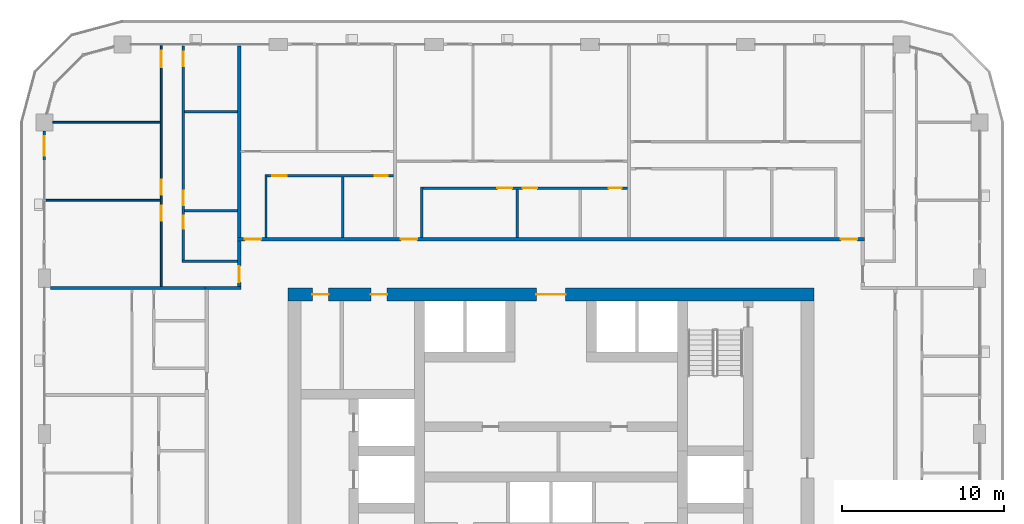
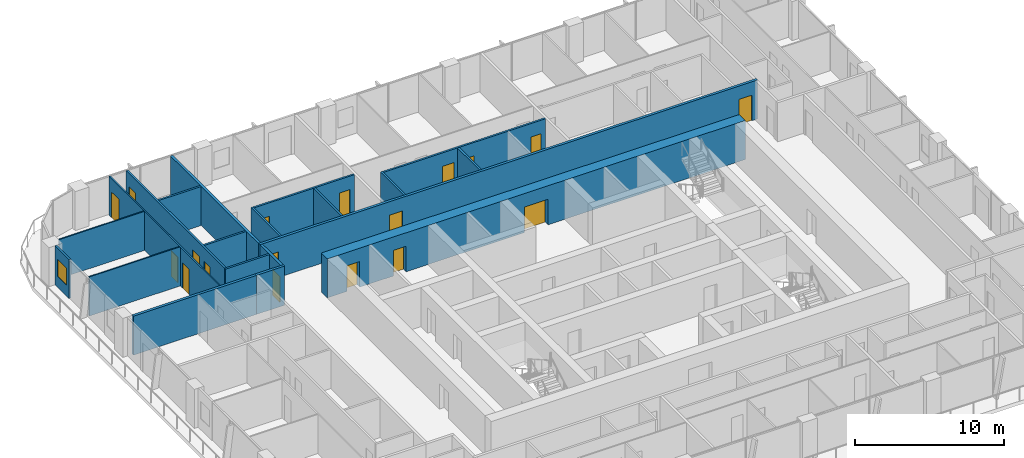
# One storey, part 13 of 22: 20 walls, 18 doors, 1 window, 19 openings.
"""IFC4 building model written with IfcOpenShell, lengths in metres."""

import ifcopenshell
import ifcopenshell.guid

model = None  # the IFC model being written
_history = None  # IfcOwnerHistory: only IFC2X3 demands one
_inside = {}  # id of a spatial element -> (the spatial element, [elements in it])
_under = {}  # id of a project, library or spatial element -> (it, [spatial elements below it])
_declared = {}  # id of a project -> (the project, [libraries it declares])
_typed = {}  # id of a type object -> (the type object, [elements of that type])
_made_of = {}  # id of a material, layer set ... -> (it, [elements and type objects made of it])


def new_model(schema):
    """Start an empty IFC model of exactly this schema.

    Asked for "IFC4X3", IfcOpenShell would pick the latest addendum, in which some entities
    have other attributes; the version numbers below select the first issue.
    IFC2X3 requires an IfcOwnerHistory on every rooted entity: one is made here for all.
    """
    global model, _history
    if schema == "IFC4X3":
        model = ifcopenshell.file(schema_version=(4, 3, 0, 0))
    else:
        model = ifcopenshell.file(schema=schema)
    _inside.clear()
    _under.clear()
    _declared.clear()
    _typed.clear()
    _made_of.clear()
    _history = None
    if model.schema == "IFC2X3":
        org = make("IfcOrganization", Name="unknown")
        user = make(
            "IfcPersonAndOrganization",
            ThePerson=make("IfcPerson", FamilyName="unknown"),
            TheOrganization=org,
        )
        app = make(
            "IfcApplication",
            ApplicationDeveloper=org,
            Version="unknown",
            ApplicationFullName="unknown",
            ApplicationIdentifier="unknown",
        )
        _history = make(
            "IfcOwnerHistory",
            OwningUser=user,
            OwningApplication=app,
            ChangeAction="ADDED",
            CreationDate=0,
        )
    return model


def make(cls, **values):
    """One entity of the class cls with the attributes given. An attribute that is None is left unset."""
    return model.create_entity(
        cls, **{name: value for name, value in values.items() if value is not None}
    )


def rooted(cls, **values):
    """An entity with a GlobalId (a new one), such as an element, a storey or a relation."""
    return make(cls, GlobalId=ifcopenshell.guid.new(), OwnerHistory=_history, **values)


def si_unit(unit_type, name, prefix=None):
    """IfcSIUnit, for example si_unit("LENGTHUNIT", "METRE", prefix="MILLI")."""
    return make("IfcSIUnit", UnitType=unit_type, Prefix=prefix, Name=name)


def assignment(units):
    """IfcUnitAssignment: the units of a project."""
    return None if units is None else make("IfcUnitAssignment", Units=units)


def point(xyz):
    """IfcCartesianPoint."""
    return None if xyz is None else make("IfcCartesianPoint", Coordinates=xyz)


def direction(xyz):
    """IfcDirection."""
    return None if xyz is None else make("IfcDirection", DirectionRatios=xyz)


def frame(location, z_axis=None, x_axis=None):
    """IfcAxis2Placement3D, a coordinate frame: its origin and axes. An axis left out is left unset."""
    return make(
        "IfcAxis2Placement3D",
        Location=point(location),
        Axis=direction(z_axis),
        RefDirection=direction(x_axis),
    )


def frame_2d(location, x_axis=None):
    """IfcAxis2Placement2D, a coordinate frame in the plane: its origin and x axis."""
    return make(
        "IfcAxis2Placement2D", Location=point(location), RefDirection=direction(x_axis)
    )


def origin():
    """The frame at (0, 0, 0) with its axes left unset."""
    return frame((0.0, 0.0, 0.0))


def place(relative_to, where):
    """IfcLocalPlacement: puts the frame where relative to a parent placement (None: the world)."""
    return make(
        "IfcLocalPlacement", PlacementRelTo=relative_to, RelativePlacement=where
    )


def context(
    kind, dimensions, precision=None, world=None, true_north=None, identifier=None
):
    """IfcGeometricRepresentationContext, for example the 3D "Model" context."""
    return make(
        "IfcGeometricRepresentationContext",
        ContextIdentifier=identifier,
        ContextType=kind,
        CoordinateSpaceDimension=dimensions,
        Precision=precision,
        WorldCoordinateSystem=world,
        TrueNorth=true_north,
    )


def subcontext(parent, identifier, kind, view, scale=None):
    """IfcGeometricRepresentationSubContext, for example "Body" below "Model"."""
    return make(
        "IfcGeometricRepresentationSubContext",
        ContextIdentifier=identifier,
        ContextType=kind,
        ParentContext=parent,
        TargetScale=scale,
        TargetView=view,
    )


def project(units=None, contexts=None):
    """IfcProject with its units and contexts."""
    return rooted(
        "IfcProject",
        Name="project",
        RepresentationContexts=contexts,
        UnitsInContext=assignment(units),
    )


def spatial(cls, under=None, at=None, **own):
    """A site, building, storey or space (cls), placed at a placement, below another one or the project."""
    s = rooted(cls, ObjectPlacement=at, **own)
    if under is not None:
        _under.setdefault(under.id(), (under, []))[1].append(s)
    return s


def profile(cls, at=None, kind="AREA", **sizes):
    """A parametric profile (cls). Its sizes go by their IFC names, for example OverallWidth=200.0."""
    return make(cls, ProfileType=kind, Position=at, **sizes)


def rectangle(**sizes):
    """IfcRectangleProfileDef."""
    return profile("IfcRectangleProfileDef", **sizes)


def extrude(swept, where, along, depth):
    """IfcExtrudedAreaSolid: the profile swept, set in the frame where, extruded along a direction by depth."""
    return make(
        "IfcExtrudedAreaSolid",
        SweptArea=swept,
        Position=where,
        ExtrudedDirection=direction(along),
        Depth=depth,
    )


def shape(context_of_items, identifier, shape_type, items):
    """IfcShapeRepresentation: the items that make up one representation, for example the "Body"."""
    return make(
        "IfcShapeRepresentation",
        ContextOfItems=context_of_items,
        RepresentationIdentifier=identifier,
        RepresentationType=shape_type,
        Items=items,
    )


def material(Name=None, Category=None):
    """IfcMaterial."""
    return make("IfcMaterial", Name=Name, Category=Category)


def layer(
    of_material, thickness, ventilated=None, Name=None, Category=None, Priority=None
):
    """IfcMaterialLayer: one layer of a wall or slab, of a material (None: an air gap)."""
    return make(
        "IfcMaterialLayer",
        Material=of_material,
        LayerThickness=thickness,
        IsVentilated=ventilated,
        Name=Name,
        Category=Category,
        Priority=Priority,
    )


def layer_set(layers, Name=None):
    """IfcMaterialLayerSet."""
    return make("IfcMaterialLayerSet", MaterialLayers=layers, LayerSetName=Name)


def made_of(thing, what):
    """Note that an element or type object is made of a material, layer set ...; save() writes the relation."""
    if what is not None:
        _made_of.setdefault(what.id(), (what, []))[1].append(thing)
    return thing


def type_object(cls, material=None, **own):
    """A type object (cls), such as IfcWallType, which elements share."""
    return made_of(rooted(cls, **own), material)


def element(
    cls,
    number,
    at=None,
    inside=None,
    cuts=None,
    type_object=None,
    material=None,
    context=None,
    identifier="Body",
    shape_type=None,
    held_by="IfcProductDefinitionShape",
    body=None,
    shapes=None,
    **own,
):
    """One element of the class cls, such as IfcWall. Its Tag is "e" and its number.

    at: its placement. inside: the storey or other place that contains it. cuts: it is an
    opening in that element (IfcRelVoidsElement). A single representation is given by context,
    identifier, shape_type and body (its items); several are given by shapes. held_by: the class
    of the entity that holds the representations. save() writes the other relations.
    """
    e = rooted(cls, Tag="e%d" % number, ObjectPlacement=at, **own)
    if body is not None:
        shapes = [shape(context, identifier, shape_type, body)]
    if shapes is not None:
        e.Representation = make(held_by, Representations=shapes)
    if inside is not None:
        _inside.setdefault(inside.id(), (inside, []))[1].append(e)
    if cuts is not None:
        rooted(
            "IfcRelVoidsElement", RelatingBuildingElement=cuts, RelatedOpeningElement=e
        )
    if type_object is not None:
        _typed.setdefault(type_object.id(), (type_object, []))[1].append(e)
    return made_of(e, material)


def fill(opening, filler):
    """IfcRelFillsElement: the door or window that sits in an opening."""
    return rooted(
        "IfcRelFillsElement",
        RelatingOpeningElement=opening,
        RelatedBuildingElement=filler,
    )


def aggregate(whole, parts):
    """IfcRelAggregates: a whole, such as a stair, and the parts it consists of."""
    return rooted("IfcRelAggregates", RelatingObject=whole, RelatedObjects=parts)


def save(model, path):
    """Write the relations noted so far, then the file.

    IfcRelAggregates (storeys below a building ...), IfcRelContainedInSpatialStructure (elements
    in a storey), IfcRelDefinesByType, IfcRelAssociatesMaterial and IfcRelDeclares: one each for
    every whole, place, type object, material and project.
    """
    for whole, parts in _under.values():
        aggregate(whole, parts)
    for where, things in _inside.values():
        rooted(
            "IfcRelContainedInSpatialStructure",
            RelatedElements=things,
            RelatingStructure=where,
        )
    for kind, things in _typed.values():
        rooted("IfcRelDefinesByType", RelatedObjects=things, RelatingType=kind)
    for what, things in _made_of.values():
        rooted("IfcRelAssociatesMaterial", RelatedObjects=things, RelatingMaterial=what)
    for by, libraries in _declared.values():
        rooted("IfcRelDeclares", RelatingContext=by, RelatedDefinitions=libraries)
    model.write(path)


model = new_model("IFC4")

# Units and contexts
model_context = context("Model", 3, precision=1e-05, world=origin(), true_north=direction((0.0, 1.0)))
body_context = subcontext(model_context, "Body", "Model", "MODEL_VIEW")
ifc_project = project(units=[si_unit("LENGTHUNIT", "METRE"), si_unit("AREAUNIT", "SQUARE_METRE"), si_unit("VOLUMEUNIT", "CUBIC_METRE"), si_unit("PLANEANGLEUNIT", "RADIAN"), si_unit("MASSUNIT", "GRAM", prefix="KILO")], contexts=[model_context])

# Site, building, storey
site_placement = place(None, origin())
site = spatial("IfcSite", under=ifc_project, at=site_placement, CompositionType="ELEMENT")
building_placement = place(site_placement, origin())
building = spatial("IfcBuilding", under=site, at=building_placement, Name="Madar Terraces", CompositionType="ELEMENT")
storey_placement = place(building_placement, frame((0.0, 0.0, 129.60009765625)))
storey = spatial("IfcBuildingStorey", under=building, at=storey_placement, Name="L33", CompositionType="ELEMENT", Elevation=129.60009765625)

# Wall, openings, doors
ifc_material_1 = material(Name="Concrete C70/85", Category="concrete")
ifc_layer_1 = layer(ifc_material_1, 0.800048828125)
ifc_layer_set_1 = layer_set([ifc_layer_1], Name="Concrete C70/85 (CRW3 RC wall 800)")
wall_type_1 = type_object("IfcWallType", Name="CRW3 RC wall 800", PredefinedType="SHEAR", material=ifc_layer_set_1)
wall_1_placement = place(storey_placement, frame((15.0, 37.39990234375, 0.0), z_axis=(0.0, 0.0, 1.0), x_axis=(1.0, 0.0, 0.0)))
wall_1 = element("IfcWall", 1, at=wall_1_placement, inside=storey, type_object=wall_type_1, Name="CORE OUTER WALL", PredefinedType="SHEAR", context=body_context, shape_type="SweptSolid", body=[
    extrude(rectangle(XDim=32.39990234375, YDim=0.800048828125, at=frame_2d((16.199951171875, 0.0))), origin(), (0.0, 0.0, 1.0), 3.199951171875),
])
opening_1_placement = place(wall_1_placement, frame((15.300048828125, 0.0, 0.0)))
opening_1 = element("IfcOpeningElement", 2, at=opening_1_placement, cuts=wall_1, Name="Opening KD1", PredefinedType="OPENING", context=body_context, shape_type="SweptSolid", body=[
    extrude(rectangle(XDim=1.800048828125, YDim=2.10009765625, at=frame_2d((0.89990234375, 1.050048828125))), frame((0.0, 0.409912109375, 0.0), z_axis=(0.0, -1.0, 0.0), x_axis=(1.0, 0.0, 0.0)), (0.0, 0.0, 1.0), 0.820068359375),
])
opening_2_placement = place(wall_1_placement, frame((1.510009765625, 0.0, 0.0)))
opening_2 = element("IfcOpeningElement", 3, at=opening_2_placement, cuts=wall_1, Name="Opening KD2", PredefinedType="OPENING", context=body_context, shape_type="SweptSolid", body=[
    extrude(rectangle(XDim=1.0, YDim=2.10009765625, at=frame_2d((0.5, 1.050048828125))), frame((0.0, 0.409912109375, 0.0), z_axis=(0.0, -1.0, 0.0), x_axis=(1.0, 0.0, 0.0)), (0.0, 0.0, 1.0), 0.820068359375),
])
opening_3_placement = place(wall_1_placement, frame((5.110107421875, 0.0, 0.0)))
opening_3 = element("IfcOpeningElement", 4, at=opening_3_placement, cuts=wall_1, Name="Opening KD2", PredefinedType="OPENING", context=body_context, shape_type="SweptSolid", body=[
    extrude(rectangle(XDim=1.0, YDim=2.10009765625, at=frame_2d((0.5, 1.050048828125))), frame((0.0, 0.409912109375, 0.0), z_axis=(0.0, -1.0, 0.0), x_axis=(1.0, 0.0, 0.0)), (0.0, 0.0, 1.0), 0.820068359375),
])
ifc_material_2 = material(Name="Steel door leaf", Category="steel")
door_type_1 = type_object("IfcDoorType", Name="Lobby door pair 1800 x 2100", OperationType="DOUBLE_DOOR_SINGLE_SWING", PredefinedType="DOOR", material=ifc_material_2)
door_1_placement = place(opening_1_placement, origin())
door_1 = element("IfcDoor", 5, at=door_1_placement, inside=storey, type_object=door_type_1, Name="LIFT LOBBY DOOR", OperationType="DOUBLE_DOOR_SINGLE_SWING", OverallHeight=2.10009765625, OverallWidth=1.800048828125, PredefinedType="DOOR", context=body_context, shape_type="SweptSolid", body=[
    extrude(rectangle(XDim=1.800048828125, YDim=2.10009765625, at=frame_2d((0.89990234375, 1.050048828125))), frame((0.0, 0.02490234375, 0.0), z_axis=(0.0, -1.0, 0.0), x_axis=(1.0, 0.0, 0.0)), (0.0, 0.0, 1.0), 0.050048828125),
])
fill(opening_1, door_1)
ifc_material_3 = material(Name="Steel door leaf", Category="steel")
door_type_2 = type_object("IfcDoorType", Name="Service room door 1000 x 2100", OperationType="NOTDEFINED", PredefinedType="DOOR", material=ifc_material_3)
door_2_placement = place(opening_2_placement, origin())
door_2 = element("IfcDoor", 6, at=door_2_placement, inside=storey, type_object=door_type_2, Name="SERVICE ROOM DOOR", OperationType="SINGLE_SWING_RIGHT", OverallHeight=2.10009765625, OverallWidth=1.0, PredefinedType="DOOR", context=body_context, shape_type="SweptSolid", body=[
    extrude(rectangle(XDim=1.0, YDim=2.10009765625, at=frame_2d((0.5, 1.050048828125))), frame((0.0, 0.02490234375, 0.0), z_axis=(0.0, -1.0, 0.0), x_axis=(1.0, 0.0, 0.0)), (0.0, 0.0, 1.0), 0.050048828125),
])
fill(opening_2, door_2)
door_3_placement = place(opening_3_placement, origin())
door_3 = element("IfcDoor", 7, at=door_3_placement, inside=storey, type_object=door_type_2, Name="SERVICE ROOM DOOR", OperationType="SINGLE_SWING_LEFT", OverallHeight=2.10009765625, OverallWidth=1.0, PredefinedType="DOOR", context=body_context, shape_type="SweptSolid", body=[
    extrude(rectangle(XDim=1.0, YDim=2.10009765625, at=frame_2d((0.5, 1.050048828125))), frame((0.0, 0.02490234375, 0.0), z_axis=(0.0, -1.0, 0.0), x_axis=(1.0, 0.0, 0.0)), (0.0, 0.0, 1.0), 0.050048828125),
])
fill(opening_3, door_3)

# Wall, opening, window
ifc_material_4 = material(Name="Aluminium composite panel, black, over insulated backing", Category="aluminium")
ifc_layer_2 = layer(ifc_material_4, 0.14990234375)
ifc_layer_set_2 = layer_set([ifc_layer_2], Name="Facade bay panel 150")
wall_type_2 = type_object("IfcWallType", Name="Facade bay panel 150", PredefinedType="SOLIDWALL", material=ifc_layer_set_2)
wall_2_placement = place(storey_placement, frame((0.0, 47.47509765625, 0.0), z_axis=(0.0, 0.0, 1.0), x_axis=(0.0, -1.0, 0.0)))
wall_2 = element("IfcWall", 8, at=wall_2_placement, inside=storey, type_object=wall_type_2, Name="Facade bay panel", PredefinedType="SOLIDWALL", context=body_context, shape_type="SweptSolid", body=[
    extrude(rectangle(XDim=1.875, YDim=0.14990234375, at=frame_2d((0.9375, 0.0))), origin(), (0.0, 0.0, 1.0), 3.199951171875),
])
opening_4_placement = place(wall_2_placement, frame((0.33740234375, 0.0, 0.89990234375)))
opening_4 = element("IfcOpeningElement", 9, at=opening_4_placement, cuts=wall_2, Name="Opening W1", PredefinedType="OPENING", context=body_context, shape_type="SweptSolid", body=[
    extrude(rectangle(XDim=1.199951171875, YDim=1.39990234375, at=frame_2d((0.60009765625, 0.699951171875))), frame((0.0, 0.0849609375, 0.0), z_axis=(0.0, -1.0, 0.0), x_axis=(1.0, 0.0, 0.0)), (0.0, 0.0, 1.0), 0.169921875),
])
ifc_material_5 = material(Name="Glass, clear, with black aluminium frame", Category="aluminium")
window_type = type_object("IfcWindowType", Name="Vent window 1200 x 1400", PartitioningType="SINGLE_PANEL", PredefinedType="WINDOW", material=ifc_material_5)
window_placement = place(opening_4_placement, origin())
window = element("IfcWindow", 10, at=window_placement, inside=storey, type_object=window_type, Name="Operable vent window", OverallHeight=1.39990234375, OverallWidth=1.199951171875, PartitioningType="SINGLE_PANEL", PredefinedType="WINDOW", context=body_context, shape_type="SweptSolid", body=[
    extrude(rectangle(XDim=1.199951171875, YDim=1.39990234375, at=frame_2d((0.60009765625, 0.699951171875))), frame((0.0, 0.030029296875, 0.0), z_axis=(0.0, -1.0, 0.0), x_axis=(1.0, 0.0, 0.0)), (0.0, 0.0, 1.0), 0.06005859375),
])
fill(opening_4, window)

# Walls
ifc_material_6 = material(Name="Gypsum board on steel studs", Category="steel")
ifc_layer_3 = layer(ifc_material_6, 0.10009765625)
ifc_layer_set_3 = layer_set([ifc_layer_3], Name="Flat partition 100")
wall_type_3 = type_object("IfcWallType", Name="Flat partition 100", PredefinedType="PARTITIONING", material=ifc_layer_set_3)
wall_3_placement = place(storey_placement, frame((7.14990234375, 43.199951171875, 0.0), z_axis=(0.0, 0.0, 1.0), x_axis=(-1.0, 0.0, 0.0)))
element("IfcWall", 11, at=wall_3_placement, inside=storey, type_object=wall_type_3, Name="Flat partition 100", PredefinedType="PARTITIONING", context=body_context, shape_type="SweptSolid", body=[
    extrude(rectangle(XDim=7.0498046875, YDim=0.10009765625, at=frame_2d((3.52490234375, 0.0))), origin(), (0.0, 0.0, 1.0), 3.199951171875),
])
wall_4_placement = place(storey_placement, frame((7.14990234375, 48.0, 0.0), z_axis=(0.0, 0.0, 1.0), x_axis=(-1.0, 0.0, 0.0)))
element("IfcWall", 12, at=wall_4_placement, inside=storey, type_object=wall_type_3, Name="Flat partition 100", PredefinedType="PARTITIONING", context=body_context, shape_type="SweptSolid", body=[
    extrude(rectangle(XDim=6.625, YDim=0.10009765625, at=frame_2d((3.3125, 0.0))), origin(), (0.0, 0.0, 1.0), 3.199951171875),
])

# Wall, openings, doors
wall_5_placement = place(storey_placement, frame((7.199951171875, 37.89990234375, 0.0), z_axis=(0.0, 0.0, 1.0), x_axis=(0.0, 1.0, 0.0)))
wall_5 = element("IfcWall", 13, at=wall_5_placement, inside=storey, type_object=wall_type_3, Name="Flat partition 100", PredefinedType="PARTITIONING", context=body_context, shape_type="SweptSolid", body=[
    extrude(rectangle(XDim=14.800048828125, YDim=0.10009765625, at=frame_2d((7.39990234375, 0.0))), origin(), (0.0, 0.0, 1.0), 3.199951171875),
])
opening_5_placement = place(wall_5_placement, frame((4.050048828125, 0.0, 0.0)))
opening_5 = element("IfcOpeningElement", 14, at=opening_5_placement, cuts=wall_5, Name="Opening D2", PredefinedType="OPENING", context=body_context, shape_type="SweptSolid", body=[
    extrude(rectangle(XDim=0.89990234375, YDim=2.10009765625, at=frame_2d((0.449951171875, 1.050048828125))), frame((0.0, 0.06005859375, 0.0), z_axis=(0.0, -1.0, 0.0), x_axis=(1.0, 0.0, 0.0)), (0.0, 0.0, 1.0), 0.1201171875),
])
opening_6_placement = place(wall_5_placement, frame((5.64990234375, 0.0, 0.0)))
opening_6 = element("IfcOpeningElement", 15, at=opening_6_placement, cuts=wall_5, Name="Opening D2", PredefinedType="OPENING", context=body_context, shape_type="SweptSolid", body=[
    extrude(rectangle(XDim=0.89990234375, YDim=2.10009765625, at=frame_2d((0.449951171875, 1.050048828125))), frame((0.0, 0.06005859375, 0.0), z_axis=(0.0, -1.0, 0.0), x_axis=(1.0, 0.0, 0.0)), (0.0, 0.0, 1.0), 0.1201171875),
])
opening_7_placement = place(wall_5_placement, frame((13.5, 0.0, 0.0)))
opening_7 = element("IfcOpeningElement", 16, at=opening_7_placement, cuts=wall_5, Name="Opening D3", PredefinedType="OPENING", context=body_context, shape_type="SweptSolid", body=[
    extrude(rectangle(XDim=1.0, YDim=2.10009765625, at=frame_2d((0.5, 1.050048828125))), frame((0.0, 0.06005859375, 0.0), z_axis=(0.0, -1.0, 0.0), x_axis=(1.0, 0.0, 0.0)), (0.0, 0.0, 1.0), 0.1201171875),
])
ifc_material_7 = material(Name="Timber door leaf", Category="wood")
door_type_3 = type_object("IfcDoorType", Name="Flat living room door 1000", OperationType="NOTDEFINED", PredefinedType="DOOR", material=ifc_material_7)
door_4_placement = place(opening_7_placement, origin())
door_4 = element("IfcDoor", 17, at=door_4_placement, inside=storey, type_object=door_type_3, Name="Flat living room door 1000", OperationType="SINGLE_SWING_RIGHT", OverallHeight=2.10009765625, OverallWidth=1.0, PredefinedType="DOOR", context=body_context, shape_type="SweptSolid", body=[
    extrude(rectangle(XDim=1.0, YDim=2.10009765625, at=frame_2d((0.5, 1.050048828125))), frame((0.0, 0.02490234375, 0.0), z_axis=(0.0, -1.0, 0.0), x_axis=(1.0, 0.0, 0.0)), (0.0, 0.0, 1.0), 0.050048828125),
])
fill(opening_7, door_4)
ifc_material_8 = material(Name="Timber door leaf", Category="wood")
door_type_4 = type_object("IfcDoorType", Name="Flat room door 900", OperationType="NOTDEFINED", PredefinedType="DOOR", material=ifc_material_8)
door_5_placement = place(opening_5_placement, origin())
door_5 = element("IfcDoor", 18, at=door_5_placement, inside=storey, type_object=door_type_4, Name="Flat room door 900", OperationType="SINGLE_SWING_RIGHT", OverallHeight=2.10009765625, OverallWidth=0.89990234375, PredefinedType="DOOR", context=body_context, shape_type="SweptSolid", body=[
    extrude(rectangle(XDim=0.89990234375, YDim=2.10009765625, at=frame_2d((0.449951171875, 1.050048828125))), frame((0.0, 0.02490234375, 0.0), z_axis=(0.0, -1.0, 0.0), x_axis=(1.0, 0.0, 0.0)), (0.0, 0.0, 1.0), 0.050048828125),
])
fill(opening_5, door_5)
door_6_placement = place(opening_6_placement, origin())
door_6 = element("IfcDoor", 19, at=door_6_placement, inside=storey, type_object=door_type_4, Name="Flat room door 900", OperationType="SINGLE_SWING_LEFT", OverallHeight=2.10009765625, OverallWidth=0.89990234375, PredefinedType="DOOR", context=body_context, shape_type="SweptSolid", body=[
    extrude(rectangle(XDim=0.89990234375, YDim=2.10009765625, at=frame_2d((0.449951171875, 1.050048828125))), frame((0.0, 0.02490234375, 0.0), z_axis=(0.0, -1.0, 0.0), x_axis=(1.0, 0.0, 0.0)), (0.0, 0.0, 1.0), 0.050048828125),
])
fill(opening_6, door_6)

ifc_material_9 = material(Name="Lightweight blockwork", Category="masonry")
ifc_layer_4 = layer(ifc_material_9, 0.199951171875)
ifc_layer_set_4 = layer_set([ifc_layer_4], Name="Flat party and entrance wall 200")
wall_type_4 = type_object("IfcWallType", Name="Flat party and entrance wall 200", PredefinedType="PARTITIONING", material=ifc_layer_set_4)
wall_6_placement = place(storey_placement, frame((11.89990234375, 40.800048828125, 0.0), z_axis=(0.0, 0.0, 1.0), x_axis=(1.0, 0.0, 0.0)))
wall_6 = element("IfcWall", 20, at=wall_6_placement, inside=storey, type_object=wall_type_4, Name="Flat party and entrance wall 200", PredefinedType="PARTITIONING", context=body_context, shape_type="SweptSolid", body=[
    extrude(rectangle(XDim=38.60009765625, YDim=0.199951171875, at=frame_2d((19.300048828125, 0.0))), origin(), (0.0, 0.0, 1.0), 3.199951171875),
])
opening_8_placement = place(wall_6_placement, frame((37.14990234375, 0.0, 0.0)))
opening_8 = element("IfcOpeningElement", 21, at=opening_8_placement, cuts=wall_6, Name="Opening D1", PredefinedType="OPENING", context=body_context, shape_type="SweptSolid", body=[
    extrude(rectangle(XDim=1.0, YDim=2.10009765625, at=frame_2d((0.5, 1.050048828125))), frame((0.0, 0.10986328125, 0.0), z_axis=(0.0, -1.0, 0.0), x_axis=(1.0, 0.0, 0.0)), (0.0, 0.0, 1.0), 0.219970703125),
])
opening_9_placement = place(wall_6_placement, frame((10.050048828125, 0.0, 0.0)))
opening_9 = element("IfcOpeningElement", 22, at=opening_9_placement, cuts=wall_6, Name="Opening D1", PredefinedType="OPENING", context=body_context, shape_type="SweptSolid", body=[
    extrude(rectangle(XDim=1.0, YDim=2.10009765625, at=frame_2d((0.5, 1.050048828125))), frame((0.0, 0.10986328125, 0.0), z_axis=(0.0, -1.0, 0.0), x_axis=(1.0, 0.0, 0.0)), (0.0, 0.0, 1.0), 0.219970703125),
])
opening_10_placement = place(wall_6_placement, frame((0.449951171875, 0.0, 0.0)))
opening_10 = element("IfcOpeningElement", 23, at=opening_10_placement, cuts=wall_6, Name="Opening D1", PredefinedType="OPENING", context=body_context, shape_type="SweptSolid", body=[
    extrude(rectangle(XDim=1.0, YDim=2.10009765625, at=frame_2d((0.5, 1.050048828125))), frame((0.0, 0.10986328125, 0.0), z_axis=(0.0, -1.0, 0.0), x_axis=(1.0, 0.0, 0.0)), (0.0, 0.0, 1.0), 0.219970703125),
])
ifc_material_10 = material(Name="Timber fire door leaf", Category="wood")
door_type_5 = type_object("IfcDoorType", Name="Flat entrance door 1000 FD30S", OperationType="NOTDEFINED", PredefinedType="DOOR", material=ifc_material_10)
door_7_placement = place(opening_8_placement, origin())
door_7 = element("IfcDoor", 24, at=door_7_placement, inside=storey, type_object=door_type_5, Name="Flat entrance door 1000 FD30S", OperationType="SINGLE_SWING_RIGHT", OverallHeight=2.10009765625, OverallWidth=1.0, PredefinedType="DOOR", context=body_context, shape_type="SweptSolid", body=[
    extrude(rectangle(XDim=1.0, YDim=2.10009765625, at=frame_2d((0.5, 1.050048828125))), frame((0.0, 0.02490234375, 0.0), z_axis=(0.0, -1.0, 0.0), x_axis=(1.0, 0.0, 0.0)), (0.0, 0.0, 1.0), 0.050048828125),
])
fill(opening_8, door_7)
door_8_placement = place(opening_9_placement, origin())
door_8 = element("IfcDoor", 25, at=door_8_placement, inside=storey, type_object=door_type_5, Name="Flat entrance door 1000 FD30S", OperationType="SINGLE_SWING_LEFT", OverallHeight=2.10009765625, OverallWidth=1.0, PredefinedType="DOOR", context=body_context, shape_type="SweptSolid", body=[
    extrude(rectangle(XDim=1.0, YDim=2.10009765625, at=frame_2d((0.5, 1.050048828125))), frame((0.0, 0.02490234375, 0.0), z_axis=(0.0, -1.0, 0.0), x_axis=(1.0, 0.0, 0.0)), (0.0, 0.0, 1.0), 0.050048828125),
])
fill(opening_9, door_8)
door_9_placement = place(opening_10_placement, origin())
door_9 = element("IfcDoor", 26, at=door_9_placement, inside=storey, type_object=door_type_5, Name="Flat entrance door 1000 FD30S", OperationType="SINGLE_SWING_LEFT", OverallHeight=2.10009765625, OverallWidth=1.0, PredefinedType="DOOR", context=body_context, shape_type="SweptSolid", body=[
    extrude(rectangle(XDim=1.0, YDim=2.10009765625, at=frame_2d((0.5, 1.050048828125))), frame((0.0, 0.02490234375, 0.0), z_axis=(0.0, -1.0, 0.0), x_axis=(1.0, 0.0, 0.0)), (0.0, 0.0, 1.0), 0.050048828125),
])
fill(opening_10, door_9)

# Wall, opening, door
wall_7_placement = place(storey_placement, frame((12.0, 37.89990234375, 0.0), z_axis=(0.0, 0.0, 1.0), x_axis=(0.0, 1.0, 0.0)))
wall_7 = element("IfcWall", 27, at=wall_7_placement, inside=storey, type_object=wall_type_4, Name="Flat party and entrance wall 200", PredefinedType="PARTITIONING", context=body_context, shape_type="SweptSolid", body=[
    extrude(rectangle(XDim=2.800048828125, YDim=0.199951171875, at=frame_2d((1.39990234375, 0.0))), origin(), (0.0, 0.0, 1.0), 3.199951171875),
])
opening_11_placement = place(wall_7_placement, frame((0.25, 0.0, 0.0)))
opening_11 = element("IfcOpeningElement", 28, at=opening_11_placement, cuts=wall_7, Name="Opening D1", PredefinedType="OPENING", context=body_context, shape_type="SweptSolid", body=[
    extrude(rectangle(XDim=1.0, YDim=2.10009765625, at=frame_2d((0.5, 1.050048828125))), frame((0.0, 0.10986328125, 0.0), z_axis=(0.0, -1.0, 0.0), x_axis=(1.0, 0.0, 0.0)), (0.0, 0.0, 1.0), 0.219970703125),
])
door_10_placement = place(opening_11_placement, origin())
door_10 = element("IfcDoor", 29, at=door_10_placement, inside=storey, type_object=door_type_5, Name="Flat entrance door 1000 FD30S", OperationType="SINGLE_SWING_LEFT", OverallHeight=2.10009765625, OverallWidth=1.0, PredefinedType="DOOR", context=body_context, shape_type="SweptSolid", body=[
    extrude(rectangle(XDim=1.0, YDim=2.10009765625, at=frame_2d((0.5, 1.050048828125))), frame((0.0, 0.02490234375, 0.0), z_axis=(0.0, -1.0, 0.0), x_axis=(1.0, 0.0, 0.0)), (0.0, 0.0, 1.0), 0.050048828125),
])
fill(opening_11, door_10)

# Walls
wall_8_placement = place(storey_placement, frame((12.10009765625, 37.800048828125, 0.0), z_axis=(0.0, 0.0, 1.0), x_axis=(-1.0, 0.0, 0.0)))
element("IfcWall", 30, at=wall_8_placement, inside=storey, type_object=wall_type_4, Name="Flat party and entrance wall 200", PredefinedType="PARTITIONING", context=body_context, shape_type="SweptSolid", body=[
    extrude(rectangle(XDim=2.2001953125, YDim=0.199951171875, at=frame_2d((1.10009765625, 0.0))), origin(), (0.0, 0.0, 1.0), 3.199951171875),
])
wall_9_placement = place(storey_placement, frame((12.0, 52.699951171875, 0.0), z_axis=(0.0, 0.0, 1.0), x_axis=(0.0, -1.0, 0.0)))
element("IfcWall", 31, at=wall_9_placement, inside=storey, type_object=wall_type_4, Name="Flat party and entrance wall 200", PredefinedType="PARTITIONING", context=body_context, shape_type="SweptSolid", body=[
    extrude(rectangle(XDim=11.800048828125, YDim=0.199951171875, at=frame_2d((5.89990234375, 0.0))), origin(), (0.0, 0.0, 1.0), 3.199951171875),
])
wall_10_placement = place(storey_placement, frame((0.375, 37.800048828125, 0.0), z_axis=(0.0, 0.0, 1.0), x_axis=(1.0, 0.0, 0.0)))
element("IfcWall", 32, at=wall_10_placement, inside=storey, type_object=wall_type_4, Name="Flat party and entrance wall 200", PredefinedType="PARTITIONING", context=body_context, shape_type="SweptSolid", body=[
    extrude(rectangle(XDim=9.52490234375, YDim=0.199951171875, at=frame_2d((4.762451171875, 0.0))), origin(), (0.0, 0.0, 1.0), 3.199951171875),
])
ifc_material_11 = material(Name="Lightweight blockwork", Category="masonry")
ifc_layer_5 = layer(ifc_material_11, 0.14990234375)
ifc_layer_set_5 = layer_set([ifc_layer_5], Name="Flat wet-room partition 150")
wall_type_5 = type_object("IfcWallType", Name="Flat wet-room partition 150", PredefinedType="PARTITIONING", material=ifc_layer_set_5)
wall_11_placement = place(storey_placement, frame((29.12890625, 40.89990234375, 0.0), z_axis=(0.0, 0.0, 1.0), x_axis=(0.0, 1.0, 0.0)))
element("IfcWall", 33, at=wall_11_placement, inside=storey, type_object=wall_type_5, Name="Flat wet-room partition 150", PredefinedType="PARTITIONING", context=body_context, shape_type="SweptSolid", body=[
    extrude(rectangle(XDim=2.97509765625, YDim=0.14990234375, at=frame_2d((1.487548828125, 0.0))), origin(), (0.0, 0.0, 1.0), 3.199951171875),
])
wall_12_placement = place(storey_placement, frame((23.25, 40.89990234375, 0.0), z_axis=(0.0, 0.0, 1.0), x_axis=(0.0, 1.0, 0.0)))
element("IfcWall", 34, at=wall_12_placement, inside=storey, type_object=wall_type_5, Name="Flat wet-room partition 150", PredefinedType="PARTITIONING", context=body_context, shape_type="SweptSolid", body=[
    extrude(rectangle(XDim=3.125, YDim=0.14990234375, at=frame_2d((1.5625, 0.0))), origin(), (0.0, 0.0, 1.0), 3.199951171875),
])

# Wall, openings, doors
wall_13_placement = place(storey_placement, frame((35.89990234375, 43.949951171875, 0.0), z_axis=(0.0, 0.0, 1.0), x_axis=(-1.0, 0.0, 0.0)))
wall_13 = element("IfcWall", 35, at=wall_13_placement, inside=storey, type_object=wall_type_5, Name="Flat wet-room partition 150", PredefinedType="PARTITIONING", context=body_context, shape_type="SweptSolid", body=[
    extrude(rectangle(XDim=12.574951171875, YDim=0.14990234375, at=frame_2d((6.28759765625, 0.0))), origin(), (0.0, 0.0, 1.0), 3.199951171875),
])
opening_12_placement = place(wall_13_placement, frame((7.09619140625, 0.0, 0.0)))
opening_12 = element("IfcOpeningElement", 36, at=opening_12_placement, cuts=wall_13, Name="Opening D2", PredefinedType="OPENING", context=body_context, shape_type="SweptSolid", body=[
    extrude(rectangle(XDim=0.89990234375, YDim=2.10009765625, at=frame_2d((0.449951171875, 1.050048828125))), frame((0.0, 0.0849609375, 0.0), z_axis=(0.0, -1.0, 0.0), x_axis=(1.0, 0.0, 0.0)), (0.0, 0.0, 1.0), 0.169921875),
])
opening_13_placement = place(wall_13_placement, frame((5.546142578125, 0.0, 0.0)))
opening_13 = element("IfcOpeningElement", 37, at=opening_13_placement, cuts=wall_13, Name="Opening D5", PredefinedType="OPENING", context=body_context, shape_type="SweptSolid", body=[
    extrude(rectangle(XDim=0.89990234375, YDim=2.10009765625, at=frame_2d((0.449951171875, 1.050048828125))), frame((0.0, 0.0849609375, 0.0), z_axis=(0.0, -1.0, 0.0), x_axis=(1.0, 0.0, 0.0)), (0.0, 0.0, 1.0), 0.169921875),
])
opening_14_placement = place(wall_13_placement, frame((0.35009765625, 0.0, 0.0)))
opening_14 = element("IfcOpeningElement", 38, at=opening_14_placement, cuts=wall_13, Name="Opening D4", PredefinedType="OPENING", context=body_context, shape_type="SweptSolid", body=[
    extrude(rectangle(XDim=0.800048828125, YDim=2.10009765625, at=frame_2d((0.39990234375, 1.050048828125))), frame((0.0, 0.0849609375, 0.0), z_axis=(0.0, -1.0, 0.0), x_axis=(1.0, 0.0, 0.0)), (0.0, 0.0, 1.0), 0.169921875),
])
ifc_material_12 = material(Name="Timber door leaf", Category="wood")
door_type_6 = type_object("IfcDoorType", Name="Flat accessible bathroom door 900", OperationType="NOTDEFINED", PredefinedType="DOOR", material=ifc_material_12)
door_11_placement = place(opening_13_placement, origin())
door_11 = element("IfcDoor", 39, at=door_11_placement, inside=storey, type_object=door_type_6, Name="Flat accessible bathroom door 900", OperationType="SINGLE_SWING_RIGHT", OverallHeight=2.10009765625, OverallWidth=0.89990234375, PredefinedType="DOOR", context=body_context, shape_type="SweptSolid", body=[
    extrude(rectangle(XDim=0.89990234375, YDim=2.10009765625, at=frame_2d((0.449951171875, 1.050048828125))), frame((0.0, 0.02490234375, 0.0), z_axis=(0.0, -1.0, 0.0), x_axis=(1.0, 0.0, 0.0)), (0.0, 0.0, 1.0), 0.050048828125),
])
fill(opening_13, door_11)
ifc_material_13 = material(Name="Timber door leaf", Category="wood")
door_type_7 = type_object("IfcDoorType", Name="Flat bathroom door 800", OperationType="NOTDEFINED", PredefinedType="DOOR", material=ifc_material_13)
door_12_placement = place(opening_14_placement, origin())
door_12 = element("IfcDoor", 40, at=door_12_placement, inside=storey, type_object=door_type_7, Name="Flat bathroom door 800", OperationType="SINGLE_SWING_LEFT", OverallHeight=2.10009765625, OverallWidth=0.800048828125, PredefinedType="DOOR", context=body_context, shape_type="SweptSolid", body=[
    extrude(rectangle(XDim=0.800048828125, YDim=2.10009765625, at=frame_2d((0.39990234375, 1.050048828125))), frame((0.0, 0.02490234375, 0.0), z_axis=(0.0, -1.0, 0.0), x_axis=(1.0, 0.0, 0.0)), (0.0, 0.0, 1.0), 0.050048828125),
])
fill(opening_14, door_12)
door_13_placement = place(opening_12_placement, origin())
door_13 = element("IfcDoor", 41, at=door_13_placement, inside=storey, type_object=door_type_4, Name="Flat room door 900", OperationType="SINGLE_SWING_LEFT", OverallHeight=2.10009765625, OverallWidth=0.89990234375, PredefinedType="DOOR", context=body_context, shape_type="SweptSolid", body=[
    extrude(rectangle(XDim=0.89990234375, YDim=2.10009765625, at=frame_2d((0.449951171875, 1.050048828125))), frame((0.0, 0.02490234375, 0.0), z_axis=(0.0, -1.0, 0.0), x_axis=(1.0, 0.0, 0.0)), (0.0, 0.0, 1.0), 0.050048828125),
])
fill(opening_12, door_13)

# Walls
wall_14_placement = place(storey_placement, frame((18.389892578125, 40.89990234375, 0.0), z_axis=(0.0, 0.0, 1.0), x_axis=(0.0, 1.0, 0.0)))
element("IfcWall", 42, at=wall_14_placement, inside=storey, type_object=wall_type_5, Name="Flat wet-room partition 150", PredefinedType="PARTITIONING", context=body_context, shape_type="SweptSolid", body=[
    extrude(rectangle(XDim=3.72509765625, YDim=0.14990234375, at=frame_2d((1.862548828125, 0.0))), origin(), (0.0, 0.0, 1.0), 3.199951171875),
])
wall_15_placement = place(storey_placement, frame((13.64990234375, 40.89990234375, 0.0), z_axis=(0.0, 0.0, 1.0), x_axis=(0.0, 1.0, 0.0)))
element("IfcWall", 43, at=wall_15_placement, inside=storey, type_object=wall_type_5, Name="Flat wet-room partition 150", PredefinedType="PARTITIONING", context=body_context, shape_type="SweptSolid", body=[
    extrude(rectangle(XDim=3.875, YDim=0.14990234375, at=frame_2d((1.9375, 0.0))), origin(), (0.0, 0.0, 1.0), 3.199951171875),
])

# Wall, openings, doors
wall_16_placement = place(storey_placement, frame((21.5, 44.699951171875, 0.0), z_axis=(0.0, 0.0, 1.0), x_axis=(-1.0, 0.0, 0.0)))
wall_16 = element("IfcWall", 44, at=wall_16_placement, inside=storey, type_object=wall_type_5, Name="Flat wet-room partition 150", PredefinedType="PARTITIONING", context=body_context, shape_type="SweptSolid", body=[
    extrude(rectangle(XDim=7.77490234375, YDim=0.14990234375, at=frame_2d((3.887451171875, 0.0))), origin(), (0.0, 0.0, 1.0), 3.199951171875),
])
opening_15_placement = place(wall_16_placement, frame((6.574951171875, 0.0, 0.0)))
opening_15 = element("IfcOpeningElement", 45, at=opening_15_placement, cuts=wall_16, Name="Opening D2", PredefinedType="OPENING", context=body_context, shape_type="SweptSolid", body=[
    extrude(rectangle(XDim=0.89990234375, YDim=2.10009765625, at=frame_2d((0.449951171875, 1.050048828125))), frame((0.0, 0.0849609375, 0.0), z_axis=(0.0, -1.0, 0.0), x_axis=(1.0, 0.0, 0.0)), (0.0, 0.0, 1.0), 0.169921875),
])
opening_16_placement = place(wall_16_placement, frame((0.35009765625, 0.0, 0.0)))
opening_16 = element("IfcOpeningElement", 46, at=opening_16_placement, cuts=wall_16, Name="Opening D4", PredefinedType="OPENING", context=body_context, shape_type="SweptSolid", body=[
    extrude(rectangle(XDim=0.800048828125, YDim=2.10009765625, at=frame_2d((0.39990234375, 1.050048828125))), frame((0.0, 0.0849609375, 0.0), z_axis=(0.0, -1.0, 0.0), x_axis=(1.0, 0.0, 0.0)), (0.0, 0.0, 1.0), 0.169921875),
])
door_14_placement = place(opening_16_placement, origin())
door_14 = element("IfcDoor", 47, at=door_14_placement, inside=storey, type_object=door_type_7, Name="Flat bathroom door 800", OperationType="SINGLE_SWING_LEFT", OverallHeight=2.10009765625, OverallWidth=0.800048828125, PredefinedType="DOOR", context=body_context, shape_type="SweptSolid", body=[
    extrude(rectangle(XDim=0.800048828125, YDim=2.10009765625, at=frame_2d((0.39990234375, 1.050048828125))), frame((0.0, 0.02490234375, 0.0), z_axis=(0.0, -1.0, 0.0), x_axis=(1.0, 0.0, 0.0)), (0.0, 0.0, 1.0), 0.050048828125),
])
fill(opening_16, door_14)
door_15_placement = place(opening_15_placement, origin())
door_15 = element("IfcDoor", 48, at=door_15_placement, inside=storey, type_object=door_type_4, Name="Flat room door 900", OperationType="SINGLE_SWING_RIGHT", OverallHeight=2.10009765625, OverallWidth=0.89990234375, PredefinedType="DOOR", context=body_context, shape_type="SweptSolid", body=[
    extrude(rectangle(XDim=0.89990234375, YDim=2.10009765625, at=frame_2d((0.449951171875, 1.050048828125))), frame((0.0, 0.02490234375, 0.0), z_axis=(0.0, -1.0, 0.0), x_axis=(1.0, 0.0, 0.0)), (0.0, 0.0, 1.0), 0.050048828125),
])
fill(opening_15, door_15)

# Walls
for number, where, z_axis, x_axis, name in (
    (49, (11.89990234375, 42.5654296875, 0.0), (0.0, 0.0, 1.0), (-1.0, 0.0, 0.0), "Flat wet-room partition 150"),
    (50, (11.89990234375, 48.646240234375, 0.0), (0.0, 0.0, 1.0), (-1.0, 0.0, 0.0), "Flat wet-room partition 150"),
):
    element("IfcWall", number, at=place(storey_placement, frame(where, z_axis=z_axis, x_axis=x_axis)), inside=storey, type_object=wall_type_5, Name=name, PredefinedType="PARTITIONING", context=body_context, shape_type="SweptSolid", body=[
        extrude(rectangle(XDim=3.27490234375, YDim=0.14990234375, at=frame_2d((1.637451171875, 0.0))), origin(), (0.0, 0.0, 1.0), 3.199951171875),
    ])
wall_17_placement = place(storey_placement, frame((11.89990234375, 39.449951171875, 0.0), z_axis=(0.0, 0.0, 1.0), x_axis=(-1.0, 0.0, 0.0)))
element("IfcWall", 51, at=wall_17_placement, inside=storey, type_object=wall_type_5, Name="Flat wet-room partition 150", PredefinedType="PARTITIONING", context=body_context, shape_type="SweptSolid", body=[
    extrude(rectangle(XDim=3.4248046875, YDim=0.14990234375, at=frame_2d((1.71240234375, 0.0))), origin(), (0.0, 0.0, 1.0), 3.199951171875),
])

# Wall, openings, doors
wall_18_placement = place(storey_placement, frame((8.550048828125, 52.699951171875, 0.0), z_axis=(0.0, 0.0, 1.0), x_axis=(0.0, -1.0, 0.0)))
wall_18 = element("IfcWall", 52, at=wall_18_placement, inside=storey, type_object=wall_type_5, Name="Flat wet-room partition 150", PredefinedType="PARTITIONING", context=body_context, shape_type="SweptSolid", body=[
    extrude(rectangle(XDim=13.175048828125, YDim=0.14990234375, at=frame_2d((6.58740234375, 0.0))), origin(), (0.0, 0.0, 1.0), 3.199951171875),
])
opening_17_placement = place(wall_18_placement, frame((10.459716796875, 0.0, 0.0)))
opening_17 = element("IfcOpeningElement", 53, at=opening_17_placement, cuts=wall_18, Name="Opening D4", PredefinedType="OPENING", context=body_context, shape_type="SweptSolid", body=[
    extrude(rectangle(XDim=0.800048828125, YDim=2.10009765625, at=frame_2d((0.39990234375, 1.050048828125))), frame((0.0, 0.0849609375, 0.0), z_axis=(0.0, -1.0, 0.0), x_axis=(1.0, 0.0, 0.0)), (0.0, 0.0, 1.0), 0.169921875),
])
opening_18_placement = place(wall_18_placement, frame((8.90966796875, 0.0, 0.0)))
opening_18 = element("IfcOpeningElement", 54, at=opening_18_placement, cuts=wall_18, Name="Opening D2", PredefinedType="OPENING", context=body_context, shape_type="SweptSolid", body=[
    extrude(rectangle(XDim=0.89990234375, YDim=2.10009765625, at=frame_2d((0.449951171875, 1.050048828125))), frame((0.0, 0.0849609375, 0.0), z_axis=(0.0, -1.0, 0.0), x_axis=(1.0, 0.0, 0.0)), (0.0, 0.0, 1.0), 0.169921875),
])
opening_19_placement = place(wall_18_placement, frame((0.35009765625, 0.0, 0.0)))
opening_19 = element("IfcOpeningElement", 55, at=opening_19_placement, cuts=wall_18, Name="Opening D5", PredefinedType="OPENING", context=body_context, shape_type="SweptSolid", body=[
    extrude(rectangle(XDim=0.89990234375, YDim=2.10009765625, at=frame_2d((0.449951171875, 1.050048828125))), frame((0.0, 0.0849609375, 0.0), z_axis=(0.0, -1.0, 0.0), x_axis=(1.0, 0.0, 0.0)), (0.0, 0.0, 1.0), 0.169921875),
])
door_16_placement = place(opening_19_placement, origin())
door_16 = element("IfcDoor", 56, at=door_16_placement, inside=storey, type_object=door_type_6, Name="Flat accessible bathroom door 900", OperationType="SINGLE_SWING_LEFT", OverallHeight=2.10009765625, OverallWidth=0.89990234375, PredefinedType="DOOR", context=body_context, shape_type="SweptSolid", body=[
    extrude(rectangle(XDim=0.89990234375, YDim=2.10009765625, at=frame_2d((0.449951171875, 1.050048828125))), frame((0.0, 0.02490234375, 0.0), z_axis=(0.0, -1.0, 0.0), x_axis=(1.0, 0.0, 0.0)), (0.0, 0.0, 1.0), 0.050048828125),
])
fill(opening_19, door_16)
door_17_placement = place(opening_17_placement, origin())
door_17 = element("IfcDoor", 57, at=door_17_placement, inside=storey, type_object=door_type_7, Name="Flat bathroom door 800", OperationType="SINGLE_SWING_LEFT", OverallHeight=2.10009765625, OverallWidth=0.800048828125, PredefinedType="DOOR", context=body_context, shape_type="SweptSolid", body=[
    extrude(rectangle(XDim=0.800048828125, YDim=2.10009765625, at=frame_2d((0.39990234375, 1.050048828125))), frame((0.0, 0.02490234375, 0.0), z_axis=(0.0, -1.0, 0.0), x_axis=(1.0, 0.0, 0.0)), (0.0, 0.0, 1.0), 0.050048828125),
])
fill(opening_17, door_17)
door_18_placement = place(opening_18_placement, origin())
door_18 = element("IfcDoor", 58, at=door_18_placement, inside=storey, type_object=door_type_4, Name="Flat room door 900", OperationType="SINGLE_SWING_RIGHT", OverallHeight=2.10009765625, OverallWidth=0.89990234375, PredefinedType="DOOR", context=body_context, shape_type="SweptSolid", body=[
    extrude(rectangle(XDim=0.89990234375, YDim=2.10009765625, at=frame_2d((0.449951171875, 1.050048828125))), frame((0.0, 0.02490234375, 0.0), z_axis=(0.0, -1.0, 0.0), x_axis=(1.0, 0.0, 0.0)), (0.0, 0.0, 1.0), 0.050048828125),
])
fill(opening_18, door_18)

save(model, "model.ifc")
